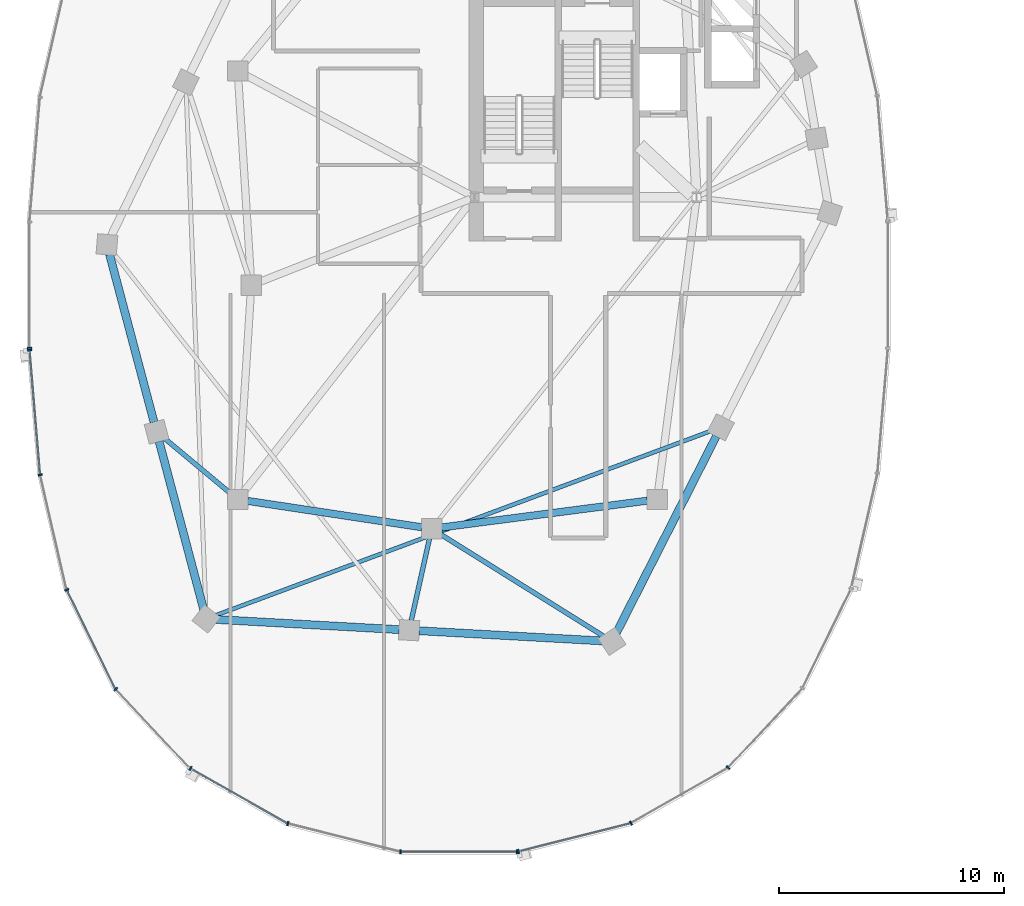
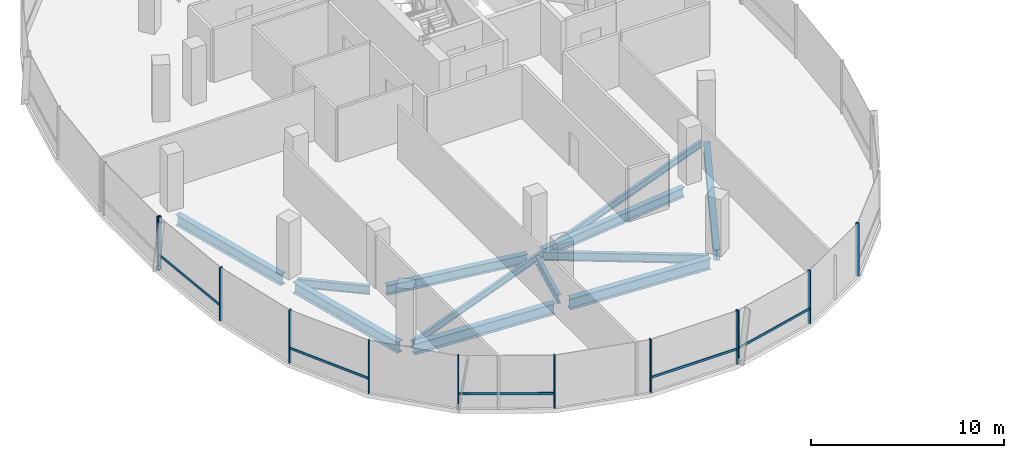
# One storey, part 3 of 25: 17 members, 11 beams, 3 elements without a shape of their own.
"""IFC4 building model written with IfcOpenShell, lengths in metres."""

from ifc_helpers import new_model, si_unit, direction, frame, origin, origin_2d, place, context, subcontext, project, spatial, rectangle, i_section, extrude, material, material_profile, profile_set, type_object, element, aggregate, save


model = new_model("IFC4")

# Units and contexts
model_context = context("Model", 3, precision=1e-05, world=origin(), true_north=direction((0.0, 1.0)))
body_context = subcontext(model_context, "Body", "Model", "MODEL_VIEW")
ifc_project = project(units=[si_unit("LENGTHUNIT", "METRE"), si_unit("AREAUNIT", "SQUARE_METRE"), si_unit("VOLUMEUNIT", "CUBIC_METRE"), si_unit("PLANEANGLEUNIT", "RADIAN"), si_unit("MASSUNIT", "GRAM", prefix="KILO"), si_unit("THERMODYNAMICTEMPERATUREUNIT", "KELVIN"), si_unit("POWERUNIT", "WATT")], contexts=[model_context])

# Site, building, storey
site_placement = place(None, origin())
site = spatial("IfcSite", under=ifc_project, at=site_placement, CompositionType="ELEMENT")
building_placement = place(site_placement, origin())
building = spatial("IfcBuilding", under=site, at=building_placement, Name="Cundina Bronze Exchange", CompositionType="ELEMENT")
storey_placement = place(building_placement, frame((0.0, 0.0, 199.0)))
storey = spatial("IfcBuildingStorey", under=building, at=storey_placement, Name="L52", CompositionType="ELEMENT", Elevation=199.0)

# Beams
ifc_material_1 = material(Name="Steel ASTM A992 Grade 50", Category="steel")
ifc_material_profile_1 = material_profile(ifc_material_1, i_section(OverallWidth=0.2119140625, OverallDepth=0.5439453125, WebThickness=0.01318359375, FlangeThickness=0.021240234375, FilletRadius=0.013916015625, at=origin_2d()), Name="W21X83", Category="steel")
ifc_profile_set_1 = profile_set([ifc_material_profile_1], Name="Steel ASTM A992 Grade 50")
beam_type_1 = type_object("IfcBeamType", Name="BM-FLR-W21A", PredefinedType="BEAM", material=ifc_profile_set_1)
beam_1_placement = place(storey_placement, frame((-42.136474609375, -9.219482421875, -0.531982421875), z_axis=(-0.768247540987, 0.640152884683, 0.0), x_axis=(-0.640152884683, -0.768247540987, 0.0)))
element("IfcBeam", 1, at=beam_1_placement, inside=storey, type_object=beam_type_1, Name="L52 Leg W Radial Floor Beam 09", PredefinedType="BEAM", context=body_context, shape_type="SweptSolid", body=[
    extrude(i_section(OverallWidth=0.2119140625, OverallDepth=0.5439453125, WebThickness=0.01318359375, FlangeThickness=0.021240234375, FilletRadius=0.013916015625, at=origin_2d()), origin(), (0.0, 0.0, 1.0), 3.81005859375),
])
beam_2_placement = place(storey_placement, frame((-33.294921875, -11.2275390625, -0.531982421875), z_axis=(-0.216958151571, -0.976180905605, 0.0), x_axis=(0.976180905605, -0.216958151571, 0.0)))
element("IfcBeam", 2, at=beam_2_placement, inside=storey, type_object=beam_type_1, Name="L52 Leg W Radial Floor Beam 11", PredefinedType="BEAM", context=body_context, shape_type="SweptSolid", body=[
    extrude(i_section(OverallWidth=0.2119140625, OverallDepth=0.5439453125, WebThickness=0.01318359375, FlangeThickness=0.021240234375, FilletRadius=0.013916015625, at=origin_2d()), origin(), (0.0, 0.0, 1.0), 3.733642578125),
])
beam_3_placement = place(storey_placement, frame((-32.82861328125, -11.031982421875, -0.531982421875), z_axis=(0.847995098703, -0.530004068452, 0.0), x_axis=(0.530004068452, 0.847995098703, 0.0)))
element("IfcBeam", 3, at=beam_3_placement, inside=storey, type_object=beam_type_1, Name="L52 Leg W Radial Floor Beam 12", PredefinedType="BEAM", context=body_context, shape_type="SweptSolid", body=[
    extrude(i_section(OverallWidth=0.2119140625, OverallDepth=0.5439453125, WebThickness=0.01318359375, FlangeThickness=0.021240234375, FilletRadius=0.013916015625, at=origin_2d()), origin(), (0.0, 0.0, 1.0), 8.55810546875),
])
ifc_material_profile_2 = material_profile(ifc_material_1, i_section(OverallWidth=0.178955078125, OverallDepth=0.409912109375, WebThickness=0.0087890625, FlangeThickness=0.014404296875, FilletRadius=0.010986328125, at=origin_2d()), Name="W16X45", Category="steel")
ifc_profile_set_2 = profile_set([ifc_material_profile_2], Name="Steel ASTM A992 Grade 50")
beam_type_2 = type_object("IfcBeamType", Name="BM-JST-W16", PredefinedType="JOIST", material=ifc_profile_set_2)
beam_4_placement = place(storey_placement, frame((-42.78955078125, -14.647216796875, -0.465087890625), z_axis=(0.937127927239, 0.348986028358, 0.0), x_axis=(-0.348986028358, 0.937127927239, 0.0)))
element("IfcBeam", 4, at=beam_4_placement, inside=storey, type_object=beam_type_2, Name="L52 Leg W Lobe Floor Joist 10-13", PredefinedType="JOIST", context=body_context, shape_type="SweptSolid", body=[
    extrude(i_section(OverallWidth=0.178955078125, OverallDepth=0.409912109375, WebThickness=0.0087890625, FlangeThickness=0.014404296875, FilletRadius=0.010986328125, at=origin_2d()), origin(), (0.0, 0.0, 1.0), 23.48046875),
])
ifc_material_profile_3 = material_profile(ifc_material_1, i_section(OverallWidth=0.324951171875, OverallDepth=0.615966796875, WebThickness=0.013916015625, FlangeThickness=0.021484375, FilletRadius=0.01611328125, at=origin_2d()), Name="W24X117", Category="steel")
ifc_profile_set_3 = profile_set([ifc_material_profile_3], Name="Steel ASTM A992 Grade 50")
beam_type_3 = type_object("IfcBeamType", Name="BM-RING-W24", PredefinedType="USERDEFINED", material=ifc_profile_set_3)
beam_5_placement = place(storey_placement, frame((-41.366943359375, -9.5654296875, -0.568115234375), z_axis=(0.988764903598, -0.149478979839, 0.0), x_axis=(0.149478979839, 0.988764903598, 0.0)))
element("IfcBeam", 5, at=beam_5_placement, inside=storey, type_object=beam_type_3, Name="L52 W Inner Structural Ring Girder 05", ObjectType="GIRDER", PredefinedType="USERDEFINED", context=body_context, shape_type="SweptSolid", body=[
    extrude(i_section(OverallWidth=0.324951171875, OverallDepth=0.615966796875, WebThickness=0.013916015625, FlangeThickness=0.021484375, FilletRadius=0.01611328125, at=origin_2d()), origin(), (0.0, 0.0, 1.0), 7.82177734375),
])
beam_6_placement = place(storey_placement, frame((-32.765625, -10.743408203125, -0.568115234375), z_axis=(0.991656498582, 0.128908451316, 0.0), x_axis=(-0.128908451316, 0.991656498582, 0.0)))
element("IfcBeam", 6, at=beam_6_placement, inside=storey, type_object=beam_type_3, Name="L52 W Inner Structural Ring Girder 06", ObjectType="GIRDER", PredefinedType="USERDEFINED", context=body_context, shape_type="SweptSolid", body=[
    extrude(i_section(OverallWidth=0.324951171875, OverallDepth=0.615966796875, WebThickness=0.013916015625, FlangeThickness=0.021484375, FilletRadius=0.01611328125, at=origin_2d()), origin(), (0.0, 0.0, 1.0), 9.208251953125),
])
ifc_material_profile_4 = material_profile(ifc_material_1, i_section(OverallWidth=0.35498046875, OverallDepth=0.695068359375, WebThickness=0.015380859375, FlangeThickness=0.02490234375, FilletRadius=0.01806640625, at=origin_2d()), Name="W27X146", Category="steel")
ifc_profile_set_4 = profile_set([ifc_material_profile_4], Name="Steel ASTM A992 Grade 50")
beam_type_4 = type_object("IfcBeamType", Name="BM-RING-W27", PredefinedType="USERDEFINED", material=ifc_profile_set_4)
for number, where, z_axis, x_axis, name in (
    (7, (-47.48779296875, 1.376708984375, -0.607421875), (0.256211934474, -0.966620631185, 0.0), (0.966620631185, 0.256211934474, 0.0), "L52 W Perimeter Ring Girder 08"),
    (8, (-45.287841796875, -6.92333984375, -0.607421875), (0.256211934474, -0.966620631185, 0.0), (0.966620631185, 0.256211934474, 0.0), "L52 W Perimeter Ring Girder 09"),
):
    element("IfcBeam", number, at=place(storey_placement, frame(where, z_axis=z_axis, x_axis=x_axis)), inside=storey, type_object=beam_type_4, Name=name, ObjectType="GIRDER", PredefinedType="USERDEFINED", context=body_context, shape_type="SweptSolid", body=[
        extrude(i_section(OverallWidth=0.35498046875, OverallDepth=0.695068359375, WebThickness=0.015380859375, FlangeThickness=0.02490234375, FilletRadius=0.01806640625, at=origin_2d()), origin(), (0.0, 0.0, 1.0), 7.710693359375),
    ])
for number, where, z_axis, x_axis, name in (
    (9, (-42.7626953125, -14.82421875, -0.607421875), (0.998460353205, -0.055470019623, 0.0), (0.055470019623, 0.998460353205, 0.0), "L52 W Perimeter Ring Girder 10"),
    (10, (-33.7626953125, -15.32421875, -0.607421875), (0.998460353205, -0.055470019623, 0.0), (0.055470019623, 0.998460353205, 0.0), "L52 W Perimeter Ring Girder 11"),
):
    element("IfcBeam", number, at=place(storey_placement, frame(where, z_axis=z_axis, x_axis=x_axis)), inside=storey, type_object=beam_type_4, Name=name, ObjectType="GIRDER", PredefinedType="USERDEFINED", context=body_context, shape_type="SweptSolid", body=[
        extrude(i_section(OverallWidth=0.35498046875, OverallDepth=0.695068359375, WebThickness=0.015380859375, FlangeThickness=0.02490234375, FilletRadius=0.01806640625, at=origin_2d()), origin(), (0.0, 0.0, 1.0), 8.137939453125),
    ])
beam_7_placement = place(storey_placement, frame((-25.001708984375, -15.409423828125, -0.607421875), z_axis=(0.452846871434, 0.891588308039, 0.0), x_axis=(-0.891588308039, 0.452846871434, 0.0)))
element("IfcBeam", 11, at=beam_7_placement, inside=storey, type_object=beam_type_4, Name="L52 W Perimeter Ring Girder 12", ObjectType="GIRDER", PredefinedType="USERDEFINED", context=body_context, shape_type="SweptSolid", body=[
    extrude(i_section(OverallWidth=0.35498046875, OverallDepth=0.695068359375, WebThickness=0.015380859375, FlangeThickness=0.02490234375, FilletRadius=0.01806640625, at=origin_2d()), origin(), (0.0, 0.0, 1.0), 9.779052734375),
])

# Curtain wall, member
ifc_material_2 = material(Name="Anodised Bronze Aluminium 6063-T6", Category="aluminium")
curtain_wall_type = type_object("IfcCurtainWallType", Name="CWS-UPP-OFF", PredefinedType="NOTDEFINED", material=ifc_material_2)
curtain_wall_1_placement = place(storey_placement, origin())
curtain_wall_1 = element("IfcCurtainWall", 12, at=curtain_wall_1_placement, inside=storey, type_object=curtain_wall_type, Name="L52 CW-05 Curtain Wall Run CWR-L52-W2", PredefinedType="NOTDEFINED")
ifc_material_profile_5 = material_profile(ifc_material_2, rectangle(XDim=0.070068359375, YDim=0.18994140625, at=origin_2d()), Name="AL70X190", Category="aluminium")
ifc_profile_set_5 = profile_set([ifc_material_profile_5], Name="Anodised Bronze Aluminium 6063-T6")
member_type_1 = type_object("IfcMemberType", Name="CWM-MUL-190", PredefinedType="MULLION", material=ifc_profile_set_5)
member_1_placement = place(storey_placement, frame((-51.033935546875, -2.794921875, 0.0), z_axis=(0.0, 0.0, 1.0), x_axis=(0.0, -1.0, 0.0)))
member_1 = element("IfcMember", 13, at=member_1_placement, type_object=member_type_1, Name="CW-05 End Mullion", PredefinedType="MULLION", context=body_context, shape_type="SweptSolid", body=[
    extrude(rectangle(XDim=0.070068359375, YDim=0.18994140625, at=origin_2d()), origin(), (0.0, 0.0, 1.0), 3.340087890625),
])
aggregate(curtain_wall_1, [member_1])

# Curtain wall, members
curtain_wall_2_placement = place(storey_placement, origin())
curtain_wall_2 = element("IfcCurtainWall", 14, at=curtain_wall_2_placement, inside=storey, type_object=curtain_wall_type, Name="L52 CW-05 Curtain Wall Run CWR-L52-W3", PredefinedType="NOTDEFINED")
member_2_placement = place(storey_placement, frame((-51.0302734375, -2.88330078125, 0.0), z_axis=(0.0, 0.0, 1.0), x_axis=(0.083677843332, -0.99649285925, 0.0)))
member_2 = element("IfcMember", 15, at=member_2_placement, type_object=member_type_1, Name="CW-05 Mullion 1", PredefinedType="MULLION", context=body_context, shape_type="SweptSolid", body=[
    extrude(rectangle(XDim=0.070068359375, YDim=0.18994140625, at=origin_2d()), origin(), (0.0, 0.0, 1.0), 3.340087890625),
])
member_3_placement = place(storey_placement, frame((-50.56005859375, -8.4111328125, 0.0), z_axis=(0.0, 0.0, 1.0), x_axis=(0.223250116011, -0.974761194191, 0.0)))
member_3 = element("IfcMember", 16, at=member_3_placement, type_object=member_type_1, Name="CW-05 Mullion 2", PredefinedType="MULLION", context=body_context, shape_type="SweptSolid", body=[
    extrude(rectangle(XDim=0.070068359375, YDim=0.18994140625, at=origin_2d()), origin(), (0.0, 0.0, 1.0), 3.340087890625),
])
member_4_placement = place(storey_placement, frame((-49.38427734375, -13.50732421875, 0.0), z_axis=(0.0, 0.0, 1.0), x_axis=(0.440566004113, -0.897720221461, 0.0)))
member_4 = element("IfcMember", 17, at=member_4_placement, type_object=member_type_1, Name="CW-05 Mullion 3", PredefinedType="MULLION", context=body_context, shape_type="SweptSolid", body=[
    extrude(rectangle(XDim=0.070068359375, YDim=0.18994140625, at=origin_2d()), origin(), (0.0, 0.0, 1.0), 3.340087890625),
])
member_5_placement = place(storey_placement, frame((-47.209716796875, -17.91796875, 0.0), z_axis=(0.0, 0.0, 1.0), x_axis=(0.684292606175, -0.729207535023, 0.0)))
member_5 = element("IfcMember", 18, at=member_5_placement, type_object=member_type_1, Name="CW-05 Mullion 4", PredefinedType="MULLION", context=body_context, shape_type="SweptSolid", body=[
    extrude(rectangle(XDim=0.070068359375, YDim=0.18994140625, at=origin_2d()), origin(), (0.0, 0.0, 1.0), 3.340087890625),
])
member_6_placement = place(storey_placement, frame((-43.899658203125, -21.43115234375, 0.0), z_axis=(0.0, 0.0, 1.0), x_axis=(0.86958112538, -0.493790103568, 0.0)))
member_6 = element("IfcMember", 19, at=member_6_placement, type_object=member_type_1, Name="CW-05 Mullion 5", PredefinedType="MULLION", context=body_context, shape_type="SweptSolid", body=[
    extrude(rectangle(XDim=0.070068359375, YDim=0.18994140625, at=origin_2d()), origin(), (0.0, 0.0, 1.0), 3.340087890625),
])
member_7_placement = place(storey_placement, frame((-39.577392578125, -23.87548828125, 0.0), z_axis=(0.0, 0.0, 1.0), x_axis=(0.969744325821, -0.244122802168, 0.0)))
member_7 = element("IfcMember", 20, at=member_7_placement, type_object=member_type_1, Name="CW-05 Mullion 6", PredefinedType="MULLION", context=body_context, shape_type="SweptSolid", body=[
    extrude(rectangle(XDim=0.070068359375, YDim=0.18994140625, at=origin_2d()), origin(), (0.0, 0.0, 1.0), 3.340087890625),
])
member_8_placement = place(storey_placement, frame((-34.580078125, -25.125, 0.0), z_axis=(0.0, 0.0, 1.0), x_axis=(1.0, 0.0, 0.0)))
member_8 = element("IfcMember", 21, at=member_8_placement, type_object=member_type_1, Name="CW-05 Mullion 7", PredefinedType="MULLION", context=body_context, shape_type="SweptSolid", body=[
    extrude(rectangle(XDim=0.070068359375, YDim=0.18994140625, at=origin_2d()), origin(), (0.0, 0.0, 1.0), 3.340087890625),
])
member_9_placement = place(storey_placement, frame((-29.419921875, -25.125, 0.0), z_axis=(0.0, 0.0, 1.0), x_axis=(1.0, 0.0, 0.0)))
member_9 = element("IfcMember", 22, at=member_9_placement, type_object=member_type_1, Name="CW-05 End Mullion", PredefinedType="MULLION", context=body_context, shape_type="SweptSolid", body=[
    extrude(rectangle(XDim=0.070068359375, YDim=0.18994140625, at=origin_2d()), origin(), (0.0, 0.0, 1.0), 3.340087890625),
])

curtain_wall_3_placement = place(storey_placement, origin())
curtain_wall_3 = element("IfcCurtainWall", 23, at=curtain_wall_3_placement, inside=storey, type_object=curtain_wall_type, Name="L52 CW-05 Curtain Wall Run CWR-L52-W4", PredefinedType="NOTDEFINED")
member_10_placement = place(storey_placement, frame((-29.3515625, -25.116455078125, 0.0), z_axis=(0.0, 0.0, 1.0), x_axis=(0.969744325821, 0.244122802168, 0.0)))
member_10 = element("IfcMember", 24, at=member_10_placement, type_object=member_type_1, Name="CW-05 Mullion 1", PredefinedType="MULLION", context=body_context, shape_type="SweptSolid", body=[
    extrude(rectangle(XDim=0.070068359375, YDim=0.18994140625, at=origin_2d()), origin(), (0.0, 0.0, 1.0), 3.340087890625),
])
member_11_placement = place(storey_placement, frame((-24.361083984375, -23.850830078125, 0.0), z_axis=(0.0, 0.0, 1.0), x_axis=(0.86958112538, 0.493790103568, 0.0)))
member_11 = element("IfcMember", 25, at=member_11_placement, type_object=member_type_1, Name="CW-05 Mullion 2", PredefinedType="MULLION", context=body_context, shape_type="SweptSolid", body=[
    extrude(rectangle(XDim=0.070068359375, YDim=0.18994140625, at=origin_2d()), origin(), (0.0, 0.0, 1.0), 3.340087890625),
])
member_12_placement = place(storey_placement, frame((-20.05126953125, -21.392578125, 0.0), z_axis=(0.0, 0.0, 1.0), x_axis=(0.684292606175, 0.729207535023, 0.0)))
member_12 = element("IfcMember", 26, at=member_12_placement, type_object=member_type_1, Name="CW-05 Mullion 3", PredefinedType="MULLION", context=body_context, shape_type="SweptSolid", body=[
    extrude(rectangle(XDim=0.070068359375, YDim=0.18994140625, at=origin_2d()), origin(), (0.0, 0.0, 1.0), 3.340087890625),
])

# Member
ifc_material_profile_6 = material_profile(ifc_material_2, rectangle(XDim=0.06494140625, YDim=0.14990234375, at=origin_2d()), Name="AL65X150", Category="aluminium")
ifc_profile_set_6 = profile_set([ifc_material_profile_6], Name="Anodised Bronze Aluminium 6063-T6")
member_type_2 = type_object("IfcMemberType", Name="CWM-TRN-150", PredefinedType="USERDEFINED", material=ifc_profile_set_6)
member_13_placement = place(storey_placement, frame((-51.027099609375, -2.921630859375, 0.919921875), z_axis=(0.083740331158, -0.996487610027, 0.0), x_axis=(0.996487610027, 0.083740331158, 0.0)))
member_13 = element("IfcMember", 27, at=member_13_placement, type_object=member_type_2, Name="CW-05 Spandrel Transom 1", ObjectType="TRANSOM", PredefinedType="USERDEFINED", context=body_context, shape_type="SweptSolid", body=[
    extrude(rectangle(XDim=0.06494140625, YDim=0.14990234375, at=origin_2d()), origin(), (0.0, 0.0, 1.0), 5.466552734375),
])

member_14_placement = place(storey_placement, frame((-49.3671875, -13.5419921875, 0.919921875), z_axis=(0.440483110889, -0.897760897467, 0.0), x_axis=(0.897760897467, 0.440483110889, 0.0)))
member_14 = element("IfcMember", 28, at=member_14_placement, type_object=member_type_2, Name="CW-05 Spandrel Transom 3", ObjectType="TRANSOM", PredefinedType="USERDEFINED", context=body_context, shape_type="SweptSolid", body=[
    extrude(rectangle(XDim=0.06494140625, YDim=0.14990234375, at=origin_2d()), origin(), (0.0, 0.0, 1.0), 4.855224609375),
])

member_15_placement = place(storey_placement, frame((-43.8662109375, -21.4501953125, 0.919921875), z_axis=(0.869573748083, -0.493803095013, 0.0), x_axis=(0.493803095013, 0.869573748083, 0.0)))
member_15 = element("IfcMember", 29, at=member_15_placement, type_object=member_type_2, Name="CW-05 Spandrel Transom 5", ObjectType="TRANSOM", PredefinedType="USERDEFINED", context=body_context, shape_type="SweptSolid", body=[
    extrude(rectangle(XDim=0.06494140625, YDim=0.14990234375, at=origin_2d()), origin(), (0.0, 0.0, 1.0), 4.900146484375),
])

member_16_placement = place(storey_placement, frame((-34.54150390625, -25.125, 0.919921875), z_axis=(1.0, 0.0, 0.0), x_axis=(0.0, 1.0, 0.0)))
member_16 = element("IfcMember", 30, at=member_16_placement, type_object=member_type_2, Name="CW-05 Spandrel Transom 7", ObjectType="TRANSOM", PredefinedType="USERDEFINED", context=body_context, shape_type="SweptSolid", body=[
    extrude(rectangle(XDim=0.06494140625, YDim=0.14990234375, at=origin_2d()), origin(), (0.0, 0.0, 1.0), 5.0830078125),
])

aggregate(curtain_wall_2, [member_2, member_13, member_3, member_4, member_14, member_5, member_6, member_15, member_7, member_8, member_9, member_16])

member_17_placement = place(storey_placement, frame((-29.314208984375, -25.107177734375, 0.919921875), z_axis=(0.969725738797, 0.244196624699, 0.0), x_axis=(-0.244196624699, 0.969725738797, 0.0)))
member_17 = element("IfcMember", 31, at=member_17_placement, type_object=member_type_2, Name="CW-05 Spandrel Transom 1", ObjectType="TRANSOM", PredefinedType="USERDEFINED", context=body_context, shape_type="SweptSolid", body=[
    extrude(rectangle(XDim=0.06494140625, YDim=0.14990234375, at=origin_2d()), origin(), (0.0, 0.0, 1.0), 5.082763671875),
])

aggregate(curtain_wall_3, [member_10, member_17, member_11, member_12])

save(model, "model.ifc")
